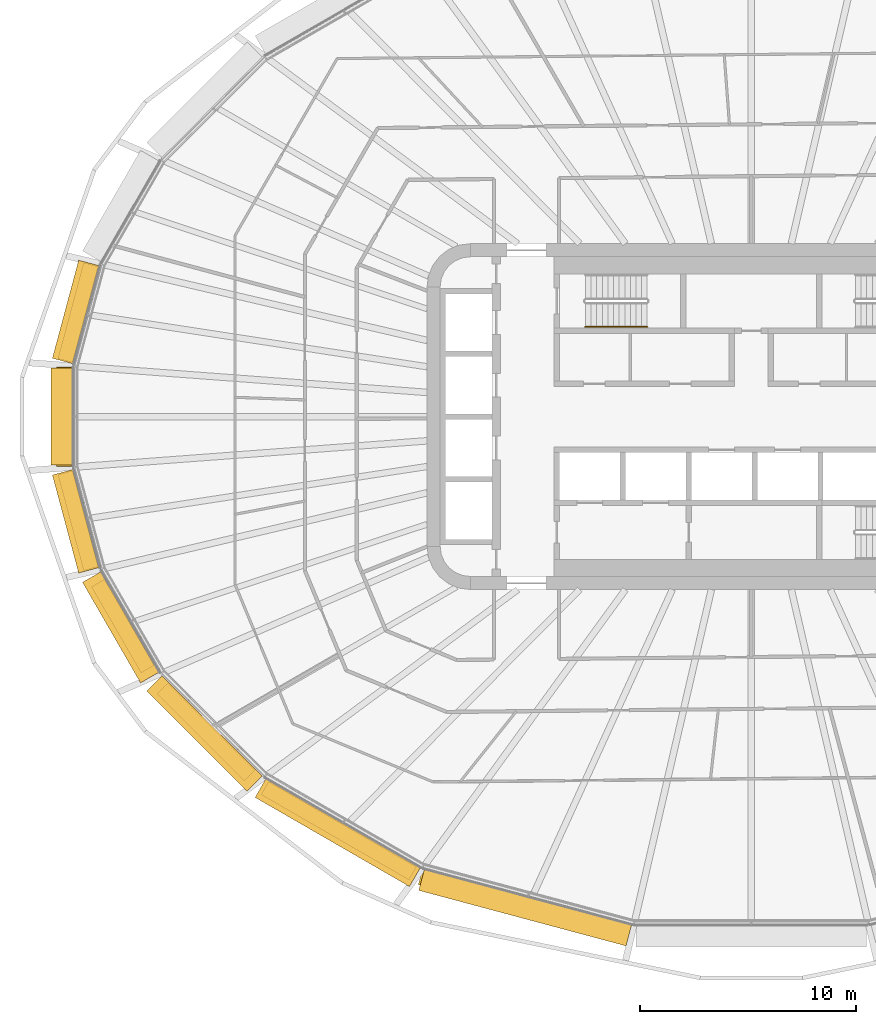
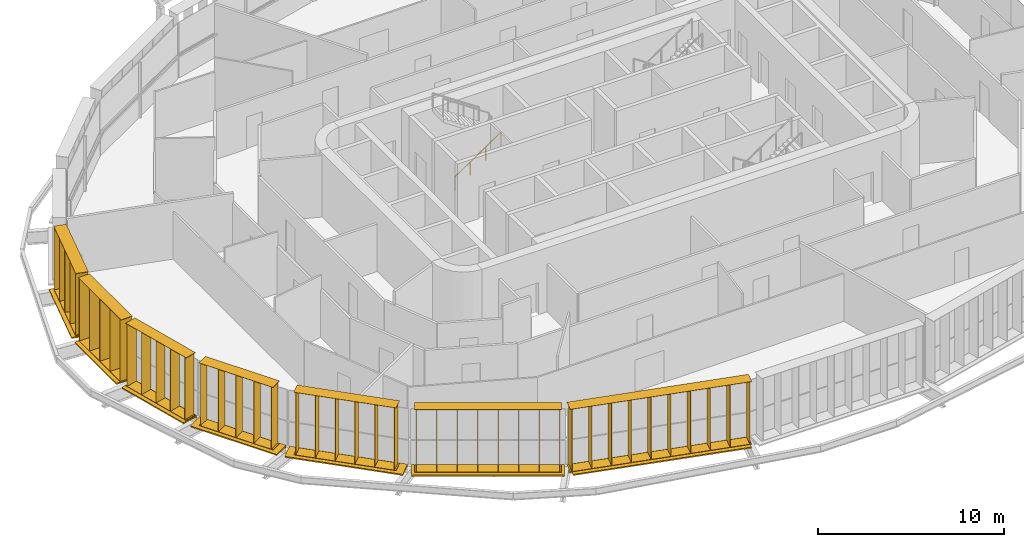
# One storey, part 22 of 28: 14 shading devices, 1 railing.
"""IFC4 building model written with IfcOpenShell, lengths in metres."""

from ifc_helpers import new_model, si_unit, direction, frame, origin, origin_2d, place, context, subcontext, project, spatial, rectangle, circle, extrude, material, type_object, element, save


model = new_model("IFC4")

# Units and contexts
model_context = context("Model", 3, precision=1e-05, world=origin(), true_north=direction((0.0, 1.0)))
body_context = subcontext(model_context, "Body", "Model", "MODEL_VIEW")
ifc_project = project(units=[si_unit("LENGTHUNIT", "METRE"), si_unit("AREAUNIT", "SQUARE_METRE"), si_unit("VOLUMEUNIT", "CUBIC_METRE"), si_unit("PLANEANGLEUNIT", "RADIAN"), si_unit("MASSUNIT", "GRAM", prefix="KILO")], contexts=[model_context])

# Site, building, storey
site_placement = place(None, origin())
site = spatial("IfcSite", under=ifc_project, at=site_placement, CompositionType="ELEMENT")
building_placement = place(site_placement, origin())
building = spatial("IfcBuilding", under=site, at=building_placement, Name="Sahrelin Media Tower", CompositionType="ELEMENT")
storey_placement = place(building_placement, frame((0.0, 0.0, 75.60009765625)))
storey = spatial("IfcBuildingStorey", under=building, at=storey_placement, Name="L13", CompositionType="ELEMENT", Elevation=75.60009765625)

# Shading devices
ifc_material_1 = material(Name="Champagne anodised aluminium 6063-T6", Category="aluminium")
shading_device_type_1 = type_object("IfcShadingDeviceType", Name="Fin cassette", PredefinedType="USERDEFINED", material=ifc_material_1)
placement_1 = place(storey_placement, frame((-30.737548828125, 4.7041015625, 0.0), z_axis=(0.0, 0.0, 1.0), x_axis=(0.258807731996, 0.965928857556, 0.0)))
element("IfcShadingDevice", 1, at=placement_1, inside=storey, type_object=shading_device_type_1, Name="L13:FIN:L13-11", ObjectType="FIN", PredefinedType="USERDEFINED", context=body_context, shape_type="SweptSolid", body=[
    extrude(rectangle(XDim=4.60009765625, YDim=0.699951171875, at=origin_2d()), frame((0.0, 0.419921875, 0.0)), (0.0, 0.0, 1.0), 0.02001953125),
    extrude(rectangle(XDim=4.60009765625, YDim=0.699951171875, at=origin_2d()), frame((0.0, 0.419921875, 4.10009765625)), (0.0, 0.0, 1.0), 0.02001953125),
    extrude(rectangle(XDim=0.02001953125, YDim=0.699951171875, at=origin_2d()), frame((-2.199951171875, 0.419921875, 0.010009765625), z_axis=(0.0, 0.0, 1.0), x_axis=(1.0, 0.0, 0.0)), (0.0, 0.0, 1.0), 4.10009765625),
    extrude(rectangle(XDim=0.02001953125, YDim=0.699951171875, at=origin_2d()), frame((-1.10009765625, 0.419921875, 0.010009765625), z_axis=(0.0, 0.0, 1.0), x_axis=(1.0, 0.0, 0.0)), (0.0, 0.0, 1.0), 4.10009765625),
    extrude(rectangle(XDim=0.02001953125, YDim=0.699951171875, at=origin_2d()), frame((0.0, 0.419921875, 0.010009765625), z_axis=(0.0, 0.0, 1.0), x_axis=(1.0, 0.0, 0.0)), (0.0, 0.0, 1.0), 4.10009765625),
    extrude(rectangle(XDim=0.02001953125, YDim=0.699951171875, at=origin_2d()), frame((1.10009765625, 0.419921875, 0.010009765625), z_axis=(0.0, 0.0, 1.0), x_axis=(1.0, 0.0, 0.0)), (0.0, 0.0, 1.0), 4.10009765625),
    extrude(rectangle(XDim=0.02001953125, YDim=0.699951171875, at=origin_2d()), frame((2.199951171875, 0.419921875, 0.010009765625), z_axis=(0.0, 0.0, 1.0), x_axis=(1.0, 0.0, 0.0)), (0.0, 0.0, 1.0), 4.10009765625),
])
placement_2 = place(storey_placement, frame((-31.37109375, 0.0, 0.0), z_axis=(0.0, 0.0, 1.0), x_axis=(0.0, 1.0, 0.0)))
element("IfcShadingDevice", 2, at=placement_2, inside=storey, type_object=shading_device_type_1, Name="L13:FIN:L13-12", ObjectType="FIN", PredefinedType="USERDEFINED", context=body_context, shape_type="SweptSolid", body=[
    extrude(rectangle(XDim=4.60009765625, YDim=0.699951171875, at=origin_2d()), frame((0.0, 0.419921875, 0.0)), (0.0, 0.0, 1.0), 0.02001953125),
    extrude(rectangle(XDim=4.60009765625, YDim=0.699951171875, at=origin_2d()), frame((0.0, 0.419921875, 4.10009765625)), (0.0, 0.0, 1.0), 0.02001953125),
    extrude(rectangle(XDim=0.02001953125, YDim=0.699951171875, at=origin_2d()), frame((-2.199951171875, 0.419921875, 0.010009765625), z_axis=(0.0, 0.0, 1.0), x_axis=(1.0, 0.0, 0.0)), (0.0, 0.0, 1.0), 4.10009765625),
    extrude(rectangle(XDim=0.02001953125, YDim=0.699951171875, at=origin_2d()), frame((-1.10009765625, 0.419921875, 0.010009765625), z_axis=(0.0, 0.0, 1.0), x_axis=(1.0, 0.0, 0.0)), (0.0, 0.0, 1.0), 4.10009765625),
    extrude(rectangle(XDim=0.02001953125, YDim=0.699951171875, at=origin_2d()), frame((0.0, 0.419921875, 0.010009765625), z_axis=(0.0, 0.0, 1.0), x_axis=(1.0, 0.0, 0.0)), (0.0, 0.0, 1.0), 4.10009765625),
    extrude(rectangle(XDim=0.02001953125, YDim=0.699951171875, at=origin_2d()), frame((1.10009765625, 0.419921875, 0.010009765625), z_axis=(0.0, 0.0, 1.0), x_axis=(1.0, 0.0, 0.0)), (0.0, 0.0, 1.0), 4.10009765625),
    extrude(rectangle(XDim=0.02001953125, YDim=0.699951171875, at=origin_2d()), frame((2.199951171875, 0.419921875, 0.010009765625), z_axis=(0.0, 0.0, 1.0), x_axis=(1.0, 0.0, 0.0)), (0.0, 0.0, 1.0), 4.10009765625),
])
placement_3 = place(storey_placement, frame((-30.737548828125, -4.7041015625, 0.0), z_axis=(0.0, 0.0, 1.0), x_axis=(-0.258807731996, 0.965928857556, 0.0)))
element("IfcShadingDevice", 3, at=placement_3, inside=storey, type_object=shading_device_type_1, Name="L13:FIN:L13-13", ObjectType="FIN", PredefinedType="USERDEFINED", context=body_context, shape_type="SweptSolid", body=[
    extrude(rectangle(XDim=4.60009765625, YDim=0.699951171875, at=origin_2d()), frame((0.0, 0.419921875, 0.0)), (0.0, 0.0, 1.0), 0.02001953125),
    extrude(rectangle(XDim=4.60009765625, YDim=0.699951171875, at=origin_2d()), frame((0.0, 0.419921875, 4.10009765625)), (0.0, 0.0, 1.0), 0.02001953125),
    extrude(rectangle(XDim=0.02001953125, YDim=0.699951171875, at=origin_2d()), frame((-2.199951171875, 0.419921875, 0.010009765625), z_axis=(0.0, 0.0, 1.0), x_axis=(1.0, 0.0, 0.0)), (0.0, 0.0, 1.0), 4.10009765625),
    extrude(rectangle(XDim=0.02001953125, YDim=0.699951171875, at=origin_2d()), frame((-1.10009765625, 0.419921875, 0.010009765625), z_axis=(0.0, 0.0, 1.0), x_axis=(1.0, 0.0, 0.0)), (0.0, 0.0, 1.0), 4.10009765625),
    extrude(rectangle(XDim=0.02001953125, YDim=0.699951171875, at=origin_2d()), frame((0.0, 0.419921875, 0.010009765625), z_axis=(0.0, 0.0, 1.0), x_axis=(1.0, 0.0, 0.0)), (0.0, 0.0, 1.0), 4.10009765625),
    extrude(rectangle(XDim=0.02001953125, YDim=0.699951171875, at=origin_2d()), frame((1.10009765625, 0.419921875, 0.010009765625), z_axis=(0.0, 0.0, 1.0), x_axis=(1.0, 0.0, 0.0)), (0.0, 0.0, 1.0), 4.10009765625),
    extrude(rectangle(XDim=0.02001953125, YDim=0.699951171875, at=origin_2d()), frame((2.199951171875, 0.419921875, 0.010009765625), z_axis=(0.0, 0.0, 1.0), x_axis=(1.0, 0.0, 0.0)), (0.0, 0.0, 1.0), 4.10009765625),
])
placement_4 = place(storey_placement, frame((-28.711181640625, -9.48046875, 0.0), z_axis=(0.0, 0.0, 1.0), x_axis=(-0.500011000363, 0.866019052629, 0.0)))
element("IfcShadingDevice", 4, at=placement_4, inside=storey, type_object=shading_device_type_1, Name="L13:FIN:L13-14", ObjectType="FIN", PredefinedType="USERDEFINED", context=body_context, shape_type="SweptSolid", body=[
    extrude(rectangle(XDim=4.60009765625, YDim=0.699951171875, at=origin_2d()), frame((0.0, 0.419921875, 0.0)), (0.0, 0.0, 1.0), 0.02001953125),
    extrude(rectangle(XDim=4.60009765625, YDim=0.699951171875, at=origin_2d()), frame((0.0, 0.419921875, 4.10009765625)), (0.0, 0.0, 1.0), 0.02001953125),
    extrude(rectangle(XDim=0.02001953125, YDim=0.699951171875, at=origin_2d()), frame((-2.199951171875, 0.419921875, 0.010009765625), z_axis=(0.0, 0.0, 1.0), x_axis=(1.0, 0.0, 0.0)), (0.0, 0.0, 1.0), 4.10009765625),
    extrude(rectangle(XDim=0.02001953125, YDim=0.699951171875, at=origin_2d()), frame((-1.10009765625, 0.419921875, 0.010009765625), z_axis=(0.0, 0.0, 1.0), x_axis=(1.0, 0.0, 0.0)), (0.0, 0.0, 1.0), 4.10009765625),
    extrude(rectangle(XDim=0.02001953125, YDim=0.699951171875, at=origin_2d()), frame((0.0, 0.419921875, 0.010009765625), z_axis=(0.0, 0.0, 1.0), x_axis=(1.0, 0.0, 0.0)), (0.0, 0.0, 1.0), 4.10009765625),
    extrude(rectangle(XDim=0.02001953125, YDim=0.699951171875, at=origin_2d()), frame((1.10009765625, 0.419921875, 0.010009765625), z_axis=(0.0, 0.0, 1.0), x_axis=(1.0, 0.0, 0.0)), (0.0, 0.0, 1.0), 4.10009765625),
    extrude(rectangle(XDim=0.02001953125, YDim=0.699951171875, at=origin_2d()), frame((2.199951171875, 0.419921875, 0.010009765625), z_axis=(0.0, 0.0, 1.0), x_axis=(1.0, 0.0, 0.0)), (0.0, 0.0, 1.0), 4.10009765625),
])
placement_5 = place(storey_placement, frame((-24.92431640625, -14.287109375, 0.0), z_axis=(0.0, 0.0, 1.0), x_axis=(-0.707106781187, 0.707106781187, 0.0)))
element("IfcShadingDevice", 5, at=placement_5, inside=storey, type_object=shading_device_type_1, Name="L13:FIN:L13-15", ObjectType="FIN", PredefinedType="USERDEFINED", context=body_context, shape_type="SweptSolid", body=[
    extrude(rectangle(XDim=5.699951171875, YDim=0.699951171875, at=origin_2d()), frame((0.0, 0.419921875, 0.0)), (0.0, 0.0, 1.0), 0.02001953125),
    extrude(rectangle(XDim=5.699951171875, YDim=0.699951171875, at=origin_2d()), frame((0.0, 0.419921875, 4.10009765625)), (0.0, 0.0, 1.0), 0.02001953125),
    extrude(rectangle(XDim=0.02001953125, YDim=0.699951171875, at=origin_2d()), frame((-2.75, 0.419921875, 0.010009765625), z_axis=(0.0, 0.0, 1.0), x_axis=(1.0, 0.0, 0.0)), (0.0, 0.0, 1.0), 4.10009765625),
    extrude(rectangle(XDim=0.02001953125, YDim=0.699951171875, at=origin_2d()), frame((-1.64990234375, 0.419921875, 0.010009765625), z_axis=(0.0, 0.0, 1.0), x_axis=(1.0, 0.0, 0.0)), (0.0, 0.0, 1.0), 4.10009765625),
    extrude(rectangle(XDim=0.02001953125, YDim=0.699951171875, at=origin_2d()), frame((-0.550048828125, 0.419921875, 0.010009765625), z_axis=(0.0, 0.0, 1.0), x_axis=(1.0, 0.0, 0.0)), (0.0, 0.0, 1.0), 4.10009765625),
    extrude(rectangle(XDim=0.02001953125, YDim=0.699951171875, at=origin_2d()), frame((0.550048828125, 0.419921875, 0.010009765625), z_axis=(0.0, 0.0, 1.0), x_axis=(1.0, 0.0, 0.0)), (0.0, 0.0, 1.0), 4.10009765625),
    extrude(rectangle(XDim=0.02001953125, YDim=0.699951171875, at=origin_2d()), frame((1.64990234375, 0.419921875, 0.010009765625), z_axis=(0.0, 0.0, 1.0), x_axis=(1.0, 0.0, 0.0)), (0.0, 0.0, 1.0), 4.10009765625),
    extrude(rectangle(XDim=0.02001953125, YDim=0.699951171875, at=origin_2d()), frame((2.75, 0.419921875, 0.010009765625), z_axis=(0.0, 0.0, 1.0), x_axis=(1.0, 0.0, 0.0)), (0.0, 0.0, 1.0), 4.10009765625),
])
placement_6 = place(storey_placement, frame((-18.873291015625, -18.79248046875, 0.0), z_axis=(0.0, 0.0, 1.0), x_axis=(-0.866019052629, 0.500011000363, 0.0)))
element("IfcShadingDevice", 6, at=placement_6, inside=storey, type_object=shading_device_type_1, Name="L13:FIN:L13-16", ObjectType="FIN", PredefinedType="USERDEFINED", context=body_context, shape_type="SweptSolid", body=[
    extrude(rectangle(XDim=7.89990234375, YDim=0.699951171875, at=origin_2d()), frame((0.0, 0.419921875, 0.0)), (0.0, 0.0, 1.0), 0.02001953125),
    extrude(rectangle(XDim=7.89990234375, YDim=0.699951171875, at=origin_2d()), frame((0.0, 0.419921875, 4.10009765625)), (0.0, 0.0, 1.0), 0.02001953125),
    extrude(rectangle(XDim=0.02001953125, YDim=0.699951171875, at=origin_2d()), frame((-3.85009765625, 0.419921875, 0.010009765625), z_axis=(0.0, 0.0, 1.0), x_axis=(1.0, 0.0, 0.0)), (0.0, 0.0, 1.0), 4.10009765625),
    extrude(rectangle(XDim=0.02001953125, YDim=0.699951171875, at=origin_2d()), frame((-2.75, 0.419921875, 0.010009765625), z_axis=(0.0, 0.0, 1.0), x_axis=(1.0, 0.0, 0.0)), (0.0, 0.0, 1.0), 4.10009765625),
    extrude(rectangle(XDim=0.02001953125, YDim=0.699951171875, at=origin_2d()), frame((-1.64990234375, 0.419921875, 0.010009765625), z_axis=(0.0, 0.0, 1.0), x_axis=(1.0, 0.0, 0.0)), (0.0, 0.0, 1.0), 4.10009765625),
    extrude(rectangle(XDim=0.02001953125, YDim=0.699951171875, at=origin_2d()), frame((-0.550048828125, 0.419921875, 0.010009765625), z_axis=(0.0, 0.0, 1.0), x_axis=(1.0, 0.0, 0.0)), (0.0, 0.0, 1.0), 4.10009765625),
    extrude(rectangle(XDim=0.02001953125, YDim=0.699951171875, at=origin_2d()), frame((0.550048828125, 0.419921875, 0.010009765625), z_axis=(0.0, 0.0, 1.0), x_axis=(1.0, 0.0, 0.0)), (0.0, 0.0, 1.0), 4.10009765625),
    extrude(rectangle(XDim=0.02001953125, YDim=0.699951171875, at=origin_2d()), frame((1.64990234375, 0.419921875, 0.010009765625), z_axis=(0.0, 0.0, 1.0), x_axis=(1.0, 0.0, 0.0)), (0.0, 0.0, 1.0), 4.10009765625),
    extrude(rectangle(XDim=0.02001953125, YDim=0.699951171875, at=origin_2d()), frame((2.75, 0.419921875, 0.010009765625), z_axis=(0.0, 0.0, 1.0), x_axis=(1.0, 0.0, 0.0)), (0.0, 0.0, 1.0), 4.10009765625),
    extrude(rectangle(XDim=0.02001953125, YDim=0.699951171875, at=origin_2d()), frame((3.85009765625, 0.419921875, 0.010009765625), z_axis=(0.0, 0.0, 1.0), x_axis=(1.0, 0.0, 0.0)), (0.0, 0.0, 1.0), 4.10009765625),
])
placement_7 = place(storey_placement, frame((-10.326416015625, -22.214111328125, 0.0), z_axis=(0.0, 0.0, 1.0), x_axis=(-0.965928857556, 0.258807731996, 0.0)))
element("IfcShadingDevice", 7, at=placement_7, inside=storey, type_object=shading_device_type_1, Name="L13:FIN:L13-17", ObjectType="FIN", PredefinedType="USERDEFINED", context=body_context, shape_type="SweptSolid", body=[
    extrude(rectangle(XDim=10.10009765625, YDim=0.699951171875, at=origin_2d()), frame((0.0, 0.419921875, 0.0)), (0.0, 0.0, 1.0), 0.02001953125),
    extrude(rectangle(XDim=10.10009765625, YDim=0.699951171875, at=origin_2d()), frame((0.0, 0.419921875, 4.10009765625)), (0.0, 0.0, 1.0), 0.02001953125),
    extrude(rectangle(XDim=0.02001953125, YDim=0.699951171875, at=origin_2d()), frame((-4.949951171875, 0.419921875, 0.010009765625), z_axis=(0.0, 0.0, 1.0), x_axis=(1.0, 0.0, 0.0)), (0.0, 0.0, 1.0), 4.10009765625),
    extrude(rectangle(XDim=0.02001953125, YDim=0.699951171875, at=origin_2d()), frame((-3.85009765625, 0.419921875, 0.010009765625), z_axis=(0.0, 0.0, 1.0), x_axis=(1.0, 0.0, 0.0)), (0.0, 0.0, 1.0), 4.10009765625),
    extrude(rectangle(XDim=0.02001953125, YDim=0.699951171875, at=origin_2d()), frame((-2.75, 0.419921875, 0.010009765625), z_axis=(0.0, 0.0, 1.0), x_axis=(1.0, 0.0, 0.0)), (0.0, 0.0, 1.0), 4.10009765625),
    extrude(rectangle(XDim=0.02001953125, YDim=0.699951171875, at=origin_2d()), frame((-1.64990234375, 0.419921875, 0.010009765625), z_axis=(0.0, 0.0, 1.0), x_axis=(1.0, 0.0, 0.0)), (0.0, 0.0, 1.0), 4.10009765625),
    extrude(rectangle(XDim=0.02001953125, YDim=0.699951171875, at=origin_2d()), frame((-0.550048828125, 0.419921875, 0.010009765625), z_axis=(0.0, 0.0, 1.0), x_axis=(1.0, 0.0, 0.0)), (0.0, 0.0, 1.0), 4.10009765625),
    extrude(rectangle(XDim=0.02001953125, YDim=0.699951171875, at=origin_2d()), frame((0.550048828125, 0.419921875, 0.010009765625), z_axis=(0.0, 0.0, 1.0), x_axis=(1.0, 0.0, 0.0)), (0.0, 0.0, 1.0), 4.10009765625),
    extrude(rectangle(XDim=0.02001953125, YDim=0.699951171875, at=origin_2d()), frame((1.64990234375, 0.419921875, 0.010009765625), z_axis=(0.0, 0.0, 1.0), x_axis=(1.0, 0.0, 0.0)), (0.0, 0.0, 1.0), 4.10009765625),
    extrude(rectangle(XDim=0.02001953125, YDim=0.699951171875, at=origin_2d()), frame((2.75, 0.419921875, 0.010009765625), z_axis=(0.0, 0.0, 1.0), x_axis=(1.0, 0.0, 0.0)), (0.0, 0.0, 1.0), 4.10009765625),
    extrude(rectangle(XDim=0.02001953125, YDim=0.699951171875, at=origin_2d()), frame((3.85009765625, 0.419921875, 0.010009765625), z_axis=(0.0, 0.0, 1.0), x_axis=(1.0, 0.0, 0.0)), (0.0, 0.0, 1.0), 4.10009765625),
    extrude(rectangle(XDim=0.02001953125, YDim=0.699951171875, at=origin_2d()), frame((4.949951171875, 0.419921875, 0.010009765625), z_axis=(0.0, 0.0, 1.0), x_axis=(1.0, 0.0, 0.0)), (0.0, 0.0, 1.0), 4.10009765625),
])

# Railing
ifc_material_2 = material(Name="Steel S355", Category="steel")
railing_type = type_object("IfcRailingType", Name="Stair handrail 900", PredefinedType="HANDRAIL", material=ifc_material_2)
railing_placement = place(storey_placement, frame((-7.675048828125, 4.14990234375, 0.1748046875)))
element("IfcRailing", 8, at=railing_placement, inside=storey, type_object=railing_type, Name="L13 ST1 stair handrail 1", PredefinedType="HANDRAIL", context=body_context, shape_type="SweptSolid", body=[
    extrude(circle(Radius=0.02392578125, at=origin_2d()), frame((0.0, 0.0, 0.8759765625), z_axis=(0.829590901723, 0.0, 0.558371682465), x_axis=(0.0, 1.0, 0.0)), (0.0, 0.0, 1.0), 3.447509765625),
    extrude(circle(Radius=0.02099609375, at=origin_2d()), origin(), (0.0, 0.0, 1.0), 0.851806640625),
    extrude(circle(Radius=0.02099609375, at=origin_2d()), frame((0.953369140625, 0.0, 0.6416015625)), (0.0, 0.0, 1.0), 0.851806640625),
    extrude(circle(Radius=0.02099609375, at=origin_2d()), frame((1.90673828125, 0.0, 1.283447265625)), (0.0, 0.0, 1.0), 0.851806640625),
    extrude(circle(Radius=0.02099609375, at=origin_2d()), frame((2.860107421875, 0.0, 1.925048828125)), (0.0, 0.0, 1.0), 0.851806640625),
])

# Shading devices
shading_device_type_2 = type_object("IfcShadingDeviceType", Name="Sunshade band", PredefinedType="USERDEFINED", material=ifc_material_1)
element("IfcShadingDevice", 9, at=placement_1, inside=storey, type_object=shading_device_type_2, Name="L13:SUN:L13-11", ObjectType="SUNSHADE", PredefinedType="USERDEFINED", context=body_context, shape_type="SweptSolid", body=[
    extrude(rectangle(XDim=4.69482421875, YDim=0.050048828125, at=origin_2d()), frame((0.0, 0.044921875, -0.55126953125)), (0.0, 0.0, 1.0), 0.471435546875),
    extrude(rectangle(XDim=4.69482421875, YDim=1.0, at=origin_2d()), frame((0.0, 0.52001953125, -0.080078125)), (0.0, 0.0, 1.0), 0.080078125),
    extrude(rectangle(XDim=0.10009765625, YDim=0.074951171875, at=origin_2d()), frame((-2.247314453125, -0.017578125, -0.47021484375)), (0.0, 0.0, 1.0), 0.300048828125),
    extrude(rectangle(XDim=0.10009765625, YDim=0.074951171875, at=origin_2d()), frame((-0.7490234375, -0.017578125, -0.47021484375)), (0.0, 0.0, 1.0), 0.300048828125),
    extrude(rectangle(XDim=0.10009765625, YDim=0.074951171875, at=origin_2d()), frame((0.7490234375, -0.017578125, -0.47021484375)), (0.0, 0.0, 1.0), 0.300048828125),
    extrude(rectangle(XDim=0.10009765625, YDim=0.074951171875, at=origin_2d()), frame((2.247314453125, -0.017578125, -0.47021484375)), (0.0, 0.0, 1.0), 0.300048828125),
])
element("IfcShadingDevice", 10, at=placement_2, inside=storey, type_object=shading_device_type_2, Name="L13:SUN:L13-12", ObjectType="SUNSHADE", PredefinedType="USERDEFINED", context=body_context, shape_type="SweptSolid", body=[
    extrude(rectangle(XDim=4.47998046875, YDim=0.050048828125, at=origin_2d()), frame((0.0, 0.044921875, -0.55126953125)), (0.0, 0.0, 1.0), 0.471435546875),
    extrude(rectangle(XDim=4.47998046875, YDim=1.0, at=origin_2d()), frame((0.0, 0.52001953125, -0.080078125)), (0.0, 0.0, 1.0), 0.080078125),
    extrude(rectangle(XDim=0.10009765625, YDim=0.074951171875, at=origin_2d()), frame((-2.139892578125, -0.017578125, -0.47021484375)), (0.0, 0.0, 1.0), 0.300048828125),
    extrude(rectangle(XDim=0.10009765625, YDim=0.074951171875, at=origin_2d()), frame((-0.71337890625, -0.017578125, -0.47021484375)), (0.0, 0.0, 1.0), 0.300048828125),
    extrude(rectangle(XDim=0.10009765625, YDim=0.074951171875, at=origin_2d()), frame((0.71337890625, -0.017578125, -0.47021484375)), (0.0, 0.0, 1.0), 0.300048828125),
    extrude(rectangle(XDim=0.10009765625, YDim=0.074951171875, at=origin_2d()), frame((2.139892578125, -0.017578125, -0.47021484375)), (0.0, 0.0, 1.0), 0.300048828125),
])
element("IfcShadingDevice", 11, at=placement_3, inside=storey, type_object=shading_device_type_2, Name="L13:SUN:L13-13", ObjectType="SUNSHADE", PredefinedType="USERDEFINED", context=body_context, shape_type="SweptSolid", body=[
    extrude(rectangle(XDim=4.69482421875, YDim=0.050048828125, at=origin_2d()), frame((0.0, 0.044921875, -0.55126953125)), (0.0, 0.0, 1.0), 0.471435546875),
    extrude(rectangle(XDim=4.69482421875, YDim=1.0, at=origin_2d()), frame((0.0, 0.52001953125, -0.080078125)), (0.0, 0.0, 1.0), 0.080078125),
    extrude(rectangle(XDim=0.10009765625, YDim=0.074951171875, at=origin_2d()), frame((-2.247314453125, -0.017578125, -0.47021484375)), (0.0, 0.0, 1.0), 0.300048828125),
    extrude(rectangle(XDim=0.10009765625, YDim=0.074951171875, at=origin_2d()), frame((-0.7490234375, -0.017578125, -0.47021484375)), (0.0, 0.0, 1.0), 0.300048828125),
    extrude(rectangle(XDim=0.10009765625, YDim=0.074951171875, at=origin_2d()), frame((0.7490234375, -0.017578125, -0.47021484375)), (0.0, 0.0, 1.0), 0.300048828125),
    extrude(rectangle(XDim=0.10009765625, YDim=0.074951171875, at=origin_2d()), frame((2.247314453125, -0.017578125, -0.47021484375)), (0.0, 0.0, 1.0), 0.300048828125),
])
element("IfcShadingDevice", 12, at=placement_4, inside=storey, type_object=shading_device_type_2, Name="L13:SUN:L13-14", ObjectType="SUNSHADE", PredefinedType="USERDEFINED", context=body_context, shape_type="SweptSolid", body=[
    extrude(rectangle(XDim=5.37109375, YDim=0.050048828125, at=origin_2d()), frame((0.0, 0.044921875, -0.55126953125)), (0.0, 0.0, 1.0), 0.471435546875),
    extrude(rectangle(XDim=5.37109375, YDim=1.0, at=origin_2d()), frame((0.0, 0.52001953125, -0.080078125)), (0.0, 0.0, 1.0), 0.080078125),
    extrude(rectangle(XDim=0.10009765625, YDim=0.074951171875, at=origin_2d()), frame((-2.585693359375, -0.017578125, -0.47021484375)), (0.0, 0.0, 1.0), 0.300048828125),
    extrude(rectangle(XDim=0.10009765625, YDim=0.074951171875, at=origin_2d()), frame((-0.86181640625, -0.017578125, -0.47021484375)), (0.0, 0.0, 1.0), 0.300048828125),
    extrude(rectangle(XDim=0.10009765625, YDim=0.074951171875, at=origin_2d()), frame((0.86181640625, -0.017578125, -0.47021484375)), (0.0, 0.0, 1.0), 0.300048828125),
    extrude(rectangle(XDim=0.10009765625, YDim=0.074951171875, at=origin_2d()), frame((2.585693359375, -0.017578125, -0.47021484375)), (0.0, 0.0, 1.0), 0.300048828125),
])
element("IfcShadingDevice", 13, at=placement_5, inside=storey, type_object=shading_device_type_2, Name="L13:SUN:L13-15", ObjectType="SUNSHADE", PredefinedType="USERDEFINED", context=body_context, shape_type="SweptSolid", body=[
    extrude(rectangle(XDim=6.57177734375, YDim=0.050048828125, at=origin_2d()), frame((0.0, 0.044921875, -0.55126953125)), (0.0, 0.0, 1.0), 0.471435546875),
    extrude(rectangle(XDim=6.57177734375, YDim=1.0, at=origin_2d()), frame((0.0, 0.52001953125, -0.080078125)), (0.0, 0.0, 1.0), 0.080078125),
    extrude(rectangle(XDim=0.10009765625, YDim=0.074951171875, at=origin_2d()), frame((-3.185791015625, -0.017578125, -0.47021484375)), (0.0, 0.0, 1.0), 0.300048828125),
    extrude(rectangle(XDim=0.10009765625, YDim=0.074951171875, at=origin_2d()), frame((-1.593017578125, -0.017578125, -0.47021484375)), (0.0, 0.0, 1.0), 0.300048828125),
    extrude(rectangle(XDim=0.10009765625, YDim=0.074951171875, at=origin_2d()), frame((0.0, -0.017578125, -0.47021484375)), (0.0, 0.0, 1.0), 0.300048828125),
    extrude(rectangle(XDim=0.10009765625, YDim=0.074951171875, at=origin_2d()), frame((1.593017578125, -0.017578125, -0.47021484375)), (0.0, 0.0, 1.0), 0.300048828125),
    extrude(rectangle(XDim=0.10009765625, YDim=0.074951171875, at=origin_2d()), frame((3.185791015625, -0.017578125, -0.47021484375)), (0.0, 0.0, 1.0), 0.300048828125),
])
element("IfcShadingDevice", 14, at=placement_6, inside=storey, type_object=shading_device_type_2, Name="L13:SUN:L13-16", ObjectType="SUNSHADE", PredefinedType="USERDEFINED", context=body_context, shape_type="SweptSolid", body=[
    extrude(rectangle(XDim=8.244873046875, YDim=0.050048828125, at=origin_2d()), frame((0.0, 0.044921875, -0.55126953125)), (0.0, 0.0, 1.0), 0.471435546875),
    extrude(rectangle(XDim=8.244873046875, YDim=1.0, at=origin_2d()), frame((0.0, 0.52001953125, -0.080078125)), (0.0, 0.0, 1.0), 0.080078125),
    extrude(rectangle(XDim=0.10009765625, YDim=0.074951171875, at=origin_2d()), frame((-4.0224609375, -0.017578125, -0.47021484375)), (0.0, 0.0, 1.0), 0.300048828125),
    extrude(rectangle(XDim=0.10009765625, YDim=0.074951171875, at=origin_2d()), frame((-2.41357421875, -0.017578125, -0.47021484375)), (0.0, 0.0, 1.0), 0.300048828125),
    extrude(rectangle(XDim=0.10009765625, YDim=0.074951171875, at=origin_2d()), frame((-0.804443359375, -0.017578125, -0.47021484375)), (0.0, 0.0, 1.0), 0.300048828125),
    extrude(rectangle(XDim=0.10009765625, YDim=0.074951171875, at=origin_2d()), frame((0.804443359375, -0.017578125, -0.47021484375)), (0.0, 0.0, 1.0), 0.300048828125),
    extrude(rectangle(XDim=0.10009765625, YDim=0.074951171875, at=origin_2d()), frame((2.41357421875, -0.017578125, -0.47021484375)), (0.0, 0.0, 1.0), 0.300048828125),
    extrude(rectangle(XDim=0.10009765625, YDim=0.074951171875, at=origin_2d()), frame((4.0224609375, -0.017578125, -0.47021484375)), (0.0, 0.0, 1.0), 0.300048828125),
])
element("IfcShadingDevice", 15, at=placement_7, inside=storey, type_object=shading_device_type_2, Name="L13:SUN:L13-17", ObjectType="SUNSHADE", PredefinedType="USERDEFINED", context=body_context, shape_type="SweptSolid", body=[
    extrude(rectangle(XDim=9.925048828125, YDim=0.050048828125, at=origin_2d()), frame((0.0, 0.044921875, -0.55126953125)), (0.0, 0.0, 1.0), 0.471435546875),
    extrude(rectangle(XDim=9.925048828125, YDim=1.0, at=origin_2d()), frame((0.0, 0.52001953125, -0.080078125)), (0.0, 0.0, 1.0), 0.080078125),
    extrude(rectangle(XDim=0.10009765625, YDim=0.074951171875, at=origin_2d()), frame((-4.862548828125, -0.017578125, -0.47021484375)), (0.0, 0.0, 1.0), 0.300048828125),
    extrude(rectangle(XDim=0.10009765625, YDim=0.074951171875, at=origin_2d()), frame((-2.91748046875, -0.017578125, -0.47021484375)), (0.0, 0.0, 1.0), 0.300048828125),
    extrude(rectangle(XDim=0.10009765625, YDim=0.074951171875, at=origin_2d()), frame((-0.972412109375, -0.017578125, -0.47021484375)), (0.0, 0.0, 1.0), 0.300048828125),
    extrude(rectangle(XDim=0.10009765625, YDim=0.074951171875, at=origin_2d()), frame((0.972412109375, -0.017578125, -0.47021484375)), (0.0, 0.0, 1.0), 0.300048828125),
    extrude(rectangle(XDim=0.10009765625, YDim=0.074951171875, at=origin_2d()), frame((2.91748046875, -0.017578125, -0.47021484375)), (0.0, 0.0, 1.0), 0.300048828125),
    extrude(rectangle(XDim=0.10009765625, YDim=0.074951171875, at=origin_2d()), frame((4.862548828125, -0.017578125, -0.47021484375)), (0.0, 0.0, 1.0), 0.300048828125),
])

save(model, "model.ifc")
